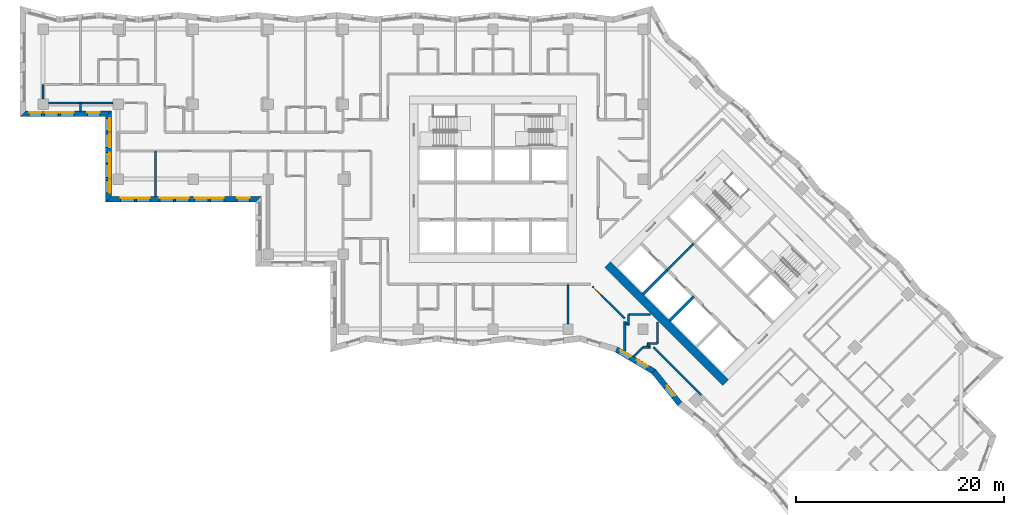
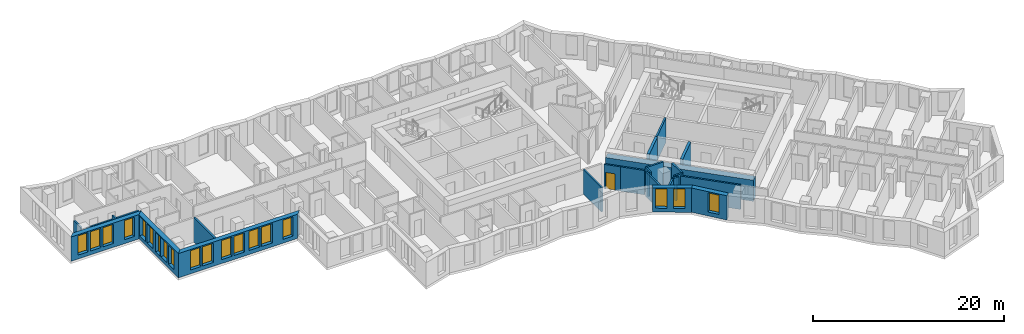
# One storey, part 3 of 13: 26 walls, 19 windows, 1 door, 20 openings.
"""IFC4 building model written with IfcOpenShell, lengths in metres."""

from ifc_helpers import new_model, si_unit, direction, frame, frame_2d, origin, place, context, subcontext, project, spatial, polyline, rectangle, outline, extrude, material, layer, layer_set, type_object, element, fill, save


model = new_model("IFC4")

# Units and contexts
model_context = context("Model", 3, precision=1e-05, world=origin(), true_north=direction((0.0, 1.0)))
body_context = subcontext(model_context, "Body", "Model", "MODEL_VIEW")
ifc_project = project(units=[si_unit("LENGTHUNIT", "METRE"), si_unit("AREAUNIT", "SQUARE_METRE"), si_unit("VOLUMEUNIT", "CUBIC_METRE"), si_unit("PLANEANGLEUNIT", "RADIAN"), si_unit("MASSUNIT", "GRAM", prefix="KILO")], contexts=[model_context])

# Site, building, storey
site_placement = place(None, origin())
site = spatial("IfcSite", under=ifc_project, at=site_placement, CompositionType="ELEMENT")
building_placement = place(site_placement, origin())
building = spatial("IfcBuilding", under=site, at=building_placement, Name="Windrow Commons", CompositionType="ELEMENT")
storey_placement = place(building_placement, frame((0.0, 0.0, 94.8)))
storey = spatial("IfcBuildingStorey", under=building, at=storey_placement, Name="L25", CompositionType="ELEMENT", Elevation=94.8)

# Wall, openings, windows
ifc_material_1 = material(Name="Brick masonry, red clay brick", Category="masonry")
ifc_layer_1 = layer(ifc_material_1, 0.55)
ifc_layer_set_1 = layer_set([ifc_layer_1], Name="Brick facade wall 550")
wall_type_1 = type_object("IfcWallType", Name="Brick facade wall 550", PredefinedType="SOLIDWALL", material=ifc_layer_set_1)
wall_1_placement = place(storey_placement, frame((19.654, 63.875, 0.0), z_axis=(0.0, 0.0, 1.0), x_axis=(1.0, 0.0, 0.0)))
wall_1 = element("IfcWall", 1, at=wall_1_placement, inside=storey, type_object=wall_type_1, Name="Brick facade wall L25 38", PredefinedType="SOLIDWALL", context=body_context, shape_type="SweptSolid", body=[
    extrude(outline(polyline([(-0.275, -0.275), (7.946, -0.275), (8.496, 0.275), (0.275, 0.275), (-0.275, -0.275)])), origin(), (0.0, 0.0, 1.0), 3.1),
])
opening_1_placement = place(wall_1_placement, frame((2.096, 0.0, 0.5)))
opening_1 = element("IfcOpeningElement", 2, at=opening_1_placement, cuts=wall_1, Name="Opening W1P", PredefinedType="OPENING", context=body_context, shape_type="SweptSolid", body=[
    extrude(rectangle(XDim=1.3, YDim=2.45, at=frame_2d((0.65, 1.225))), frame((0.0, 0.285, 0.0), z_axis=(0.0, -1.0, 0.0), x_axis=(1.0, 0.0, 0.0)), (0.0, 0.0, 1.0), 0.57),
])
opening_2_placement = place(wall_1_placement, frame((3.596, 0.0, 0.5)))
opening_2 = element("IfcOpeningElement", 3, at=opening_2_placement, cuts=wall_1, Name="Opening W1P", PredefinedType="OPENING", context=body_context, shape_type="SweptSolid", body=[
    extrude(rectangle(XDim=1.3, YDim=2.45, at=frame_2d((0.65, 1.225))), frame((0.0, 0.285, 0.0), z_axis=(0.0, -1.0, 0.0), x_axis=(1.0, 0.0, 0.0)), (0.0, 0.0, 1.0), 0.57),
])
opening_3_placement = place(wall_1_placement, frame((0.6105, 0.0, 0.5)))
opening_3 = element("IfcOpeningElement", 4, at=opening_3_placement, cuts=wall_1, Name="Opening W7D", PredefinedType="OPENING", context=body_context, shape_type="SweptSolid", body=[
    extrude(rectangle(XDim=1.2, YDim=2.45, at=frame_2d((0.6, 1.225))), frame((0.0, 0.285, 0.0), z_axis=(0.0, -1.0, 0.0), x_axis=(1.0, 0.0, 0.0)), (0.0, 0.0, 1.0), 0.57),
])
opening_4_placement = place(wall_1_placement, frame((6.1835, 0.0, 0.5)))
opening_4 = element("IfcOpeningElement", 5, at=opening_4_placement, cuts=wall_1, Name="Opening W7D", PredefinedType="OPENING", context=body_context, shape_type="SweptSolid", body=[
    extrude(rectangle(XDim=1.2, YDim=2.45, at=frame_2d((0.6, 1.225))), frame((0.0, 0.285, 0.0), z_axis=(0.0, -1.0, 0.0), x_axis=(1.0, 0.0, 0.0)), (0.0, 0.0, 1.0), 0.57),
])
ifc_material_2 = material(Name="Clear float glass in anodised aluminium frame", Category="aluminium")
window_type_1 = type_object("IfcWindowType", Name="Window W1P pair 1300x2450", PartitioningType="SINGLE_PANEL", PredefinedType="WINDOW", material=ifc_material_2)
window_1_placement = place(opening_1_placement, origin())
window_1 = element("IfcWindow", 6, at=window_1_placement, inside=storey, type_object=window_type_1, Name="Window L25 38.1A", OverallHeight=2.45, OverallWidth=1.3, PartitioningType="SINGLE_PANEL", PredefinedType="WINDOW", context=body_context, shape_type="SweptSolid", body=[
    extrude(rectangle(XDim=1.3, YDim=2.45, at=frame_2d((0.65, 1.225))), frame((0.0, 0.155, 0.0), z_axis=(0.0, -1.0, 0.0), x_axis=(1.0, 0.0, 0.0)), (0.0, 0.0, 1.0), 0.06),
])
fill(opening_1, window_1)
window_2_placement = place(opening_2_placement, origin())
window_2 = element("IfcWindow", 7, at=window_2_placement, inside=storey, type_object=window_type_1, Name="Window L25 38.1B", OverallHeight=2.45, OverallWidth=1.3, PartitioningType="SINGLE_PANEL", PredefinedType="WINDOW", context=body_context, shape_type="SweptSolid", body=[
    extrude(rectangle(XDim=1.3, YDim=2.45, at=frame_2d((0.65, 1.225))), frame((0.0, 0.155, 0.0), z_axis=(0.0, -1.0, 0.0), x_axis=(1.0, 0.0, 0.0)), (0.0, 0.0, 1.0), 0.06),
])
fill(opening_2, window_2)
ifc_material_3 = material(Name="Clear float glass in anodised aluminium frame", Category="aluminium")
window_type_2 = type_object("IfcWindowType", Name="Window W7 notch 1200x2450", PartitioningType="SINGLE_PANEL", PredefinedType="WINDOW", material=ifc_material_3)
window_3_placement = place(opening_3_placement, origin())
window_3 = element("IfcWindow", 8, at=window_3_placement, inside=storey, type_object=window_type_2, Name="Window L25 38.2", OverallHeight=2.45, OverallWidth=1.2, PartitioningType="SINGLE_PANEL", PredefinedType="WINDOW", context=body_context, shape_type="SweptSolid", body=[
    extrude(rectangle(XDim=1.2, YDim=2.45, at=frame_2d((0.6, 1.225))), frame((0.0, 0.155, 0.0), z_axis=(0.0, -1.0, 0.0), x_axis=(1.0, 0.0, 0.0)), (0.0, 0.0, 1.0), 0.06),
])
fill(opening_3, window_3)
window_4_placement = place(opening_4_placement, origin())
window_4 = element("IfcWindow", 9, at=window_4_placement, inside=storey, type_object=window_type_2, Name="Window L25 38.3", OverallHeight=2.45, OverallWidth=1.2, PartitioningType="SINGLE_PANEL", PredefinedType="WINDOW", context=body_context, shape_type="SweptSolid", body=[
    extrude(rectangle(XDim=1.2, YDim=2.45, at=frame_2d((0.6, 1.225))), frame((0.0, 0.155, 0.0), z_axis=(0.0, -1.0, 0.0), x_axis=(1.0, 0.0, 0.0)), (0.0, 0.0, 1.0), 0.06),
])
fill(opening_4, window_4)

wall_2_placement = place(storey_placement, frame((27.875, 63.875, 0.0), z_axis=(0.0, 0.0, 1.0), x_axis=(0.0, -1.0, 0.0)))
wall_2 = element("IfcWall", 10, at=wall_2_placement, inside=storey, type_object=wall_type_1, Name="Brick facade wall L25 39", PredefinedType="SOLIDWALL", context=body_context, shape_type="SweptSolid", body=[
    extrude(outline(polyline([(0.275, -0.275), (8.496, -0.275), (7.946, 0.275), (-0.275, 0.275), (0.275, -0.275)])), origin(), (0.0, 0.0, 1.0), 3.1),
])
opening_5_placement = place(wall_2_placement, frame((4.825, 0.0, 0.5)))
opening_5 = element("IfcOpeningElement", 11, at=opening_5_placement, cuts=wall_2, Name="Opening W1P", PredefinedType="OPENING", context=body_context, shape_type="SweptSolid", body=[
    extrude(rectangle(XDim=1.3, YDim=2.45, at=frame_2d((0.65, 1.225))), frame((0.0, 0.285, 0.0), z_axis=(0.0, -1.0, 0.0), x_axis=(1.0, 0.0, 0.0)), (0.0, 0.0, 1.0), 0.57),
])
opening_6_placement = place(wall_2_placement, frame((0.4375, 0.0, 0.5)))
opening_6 = element("IfcOpeningElement", 12, at=opening_6_placement, cuts=wall_2, Name="Opening W7D", PredefinedType="OPENING", context=body_context, shape_type="SweptSolid", body=[
    extrude(rectangle(XDim=1.2, YDim=2.45, at=frame_2d((0.6, 1.225))), frame((0.0, 0.285, 0.0), z_axis=(0.0, -1.0, 0.0), x_axis=(1.0, 0.0, 0.0)), (0.0, 0.0, 1.0), 0.57),
])
opening_7_placement = place(wall_2_placement, frame((6.4105, 0.0, 0.5)))
opening_7 = element("IfcOpeningElement", 13, at=opening_7_placement, cuts=wall_2, Name="Opening W7D", PredefinedType="OPENING", context=body_context, shape_type="SweptSolid", body=[
    extrude(rectangle(XDim=1.2, YDim=2.45, at=frame_2d((0.6, 1.225))), frame((0.0, 0.285, 0.0), z_axis=(0.0, -1.0, 0.0), x_axis=(1.0, 0.0, 0.0)), (0.0, 0.0, 1.0), 0.57),
])
opening_8_placement = place(wall_2_placement, frame((1.9313, 0.0, 0.5)))
opening_8 = element("IfcOpeningElement", 14, at=opening_8_placement, cuts=wall_2, Name="Opening W1P", PredefinedType="OPENING", context=body_context, shape_type="SweptSolid", body=[
    extrude(rectangle(XDim=1.3, YDim=2.45, at=frame_2d((0.65, 1.225))), frame((0.0, 0.285, 0.0), z_axis=(0.0, -1.0, 0.0), x_axis=(1.0, 0.0, 0.0)), (0.0, 0.0, 1.0), 0.57),
])
opening_9_placement = place(wall_2_placement, frame((3.725, 0.0, 0.45)))
opening_9 = element("IfcOpeningElement", 15, at=opening_9_placement, cuts=wall_2, Name="Opening W1S", PredefinedType="OPENING", context=body_context, shape_type="SweptSolid", body=[
    extrude(rectangle(XDim=1.0, YDim=2.5, at=frame_2d((0.5, 1.25))), frame((0.0, 0.285, 0.0), z_axis=(0.0, -1.0, 0.0), x_axis=(1.0, 0.0, 0.0)), (0.0, 0.0, 1.0), 0.57),
])
window_5_placement = place(opening_5_placement, origin())
window_5 = element("IfcWindow", 16, at=window_5_placement, inside=storey, type_object=window_type_1, Name="Window L25 39.1B", OverallHeight=2.45, OverallWidth=1.3, PartitioningType="SINGLE_PANEL", PredefinedType="WINDOW", context=body_context, shape_type="SweptSolid", body=[
    extrude(rectangle(XDim=1.3, YDim=2.45, at=frame_2d((0.65, 1.225))), frame((0.0, 0.155, 0.0), z_axis=(0.0, -1.0, 0.0), x_axis=(1.0, 0.0, 0.0)), (0.0, 0.0, 1.0), 0.06),
])
fill(opening_5, window_5)
window_6_placement = place(opening_8_placement, origin())
window_6 = element("IfcWindow", 17, at=window_6_placement, inside=storey, type_object=window_type_1, Name="Window L25 39.1AA", OverallHeight=2.45, OverallWidth=1.3, PartitioningType="SINGLE_PANEL", PredefinedType="WINDOW", context=body_context, shape_type="SweptSolid", body=[
    extrude(rectangle(XDim=1.3, YDim=2.45, at=frame_2d((0.65, 1.225))), frame((0.0, 0.155, 0.0), z_axis=(0.0, -1.0, 0.0), x_axis=(1.0, 0.0, 0.0)), (0.0, 0.0, 1.0), 0.06),
])
fill(opening_8, window_6)
ifc_material_4 = material(Name="Clear float glass in anodised aluminium frame", Category="aluminium")
window_type_3 = type_object("IfcWindowType", Name="Window W1S slit 1000x2500", PartitioningType="SINGLE_PANEL", PredefinedType="WINDOW", material=ifc_material_4)
window_7_placement = place(opening_9_placement, origin())
window_7 = element("IfcWindow", 18, at=window_7_placement, inside=storey, type_object=window_type_3, Name="Window L25 39.1AB", OverallHeight=2.5, OverallWidth=1.0, PartitioningType="SINGLE_PANEL", PredefinedType="WINDOW", context=body_context, shape_type="SweptSolid", body=[
    extrude(rectangle(XDim=1.0, YDim=2.5, at=frame_2d((0.5, 1.25))), frame((0.0, 0.155, 0.0), z_axis=(0.0, -1.0, 0.0), x_axis=(1.0, 0.0, 0.0)), (0.0, 0.0, 1.0), 0.06),
])
fill(opening_9, window_7)
window_8_placement = place(opening_6_placement, origin())
window_8 = element("IfcWindow", 19, at=window_8_placement, inside=storey, type_object=window_type_2, Name="Window L25 39.2", OverallHeight=2.45, OverallWidth=1.2, PartitioningType="SINGLE_PANEL", PredefinedType="WINDOW", context=body_context, shape_type="SweptSolid", body=[
    extrude(rectangle(XDim=1.2, YDim=2.45, at=frame_2d((0.6, 1.225))), frame((0.0, 0.155, 0.0), z_axis=(0.0, -1.0, 0.0), x_axis=(1.0, 0.0, 0.0)), (0.0, 0.0, 1.0), 0.06),
])
fill(opening_6, window_8)
window_9_placement = place(opening_7_placement, origin())
window_9 = element("IfcWindow", 20, at=window_9_placement, inside=storey, type_object=window_type_2, Name="Window L25 39.3", OverallHeight=2.45, OverallWidth=1.2, PartitioningType="SINGLE_PANEL", PredefinedType="WINDOW", context=body_context, shape_type="SweptSolid", body=[
    extrude(rectangle(XDim=1.2, YDim=2.45, at=frame_2d((0.6, 1.225))), frame((0.0, 0.155, 0.0), z_axis=(0.0, -1.0, 0.0), x_axis=(1.0, 0.0, 0.0)), (0.0, 0.0, 1.0), 0.06),
])
fill(opening_7, window_9)

wall_3_placement = place(storey_placement, frame((27.875, 55.654, 0.0), z_axis=(0.0, 0.0, 1.0), x_axis=(1.0, 0.0, 0.0)))
wall_3 = element("IfcWall", 21, at=wall_3_placement, inside=storey, type_object=wall_type_1, Name="Brick facade wall L25 40", PredefinedType="SOLIDWALL", context=body_context, shape_type="SweptSolid", body=[
    extrude(outline(polyline([(-0.275, -0.275), (14.125, -0.275), (14.675, 0.275), (0.275, 0.275), (-0.275, -0.275)])), origin(), (0.0, 0.0, 1.0), 3.1),
])
opening_10_placement = place(wall_3_placement, frame((1.175, 0.0, 0.5)))
opening_10 = element("IfcOpeningElement", 22, at=opening_10_placement, cuts=wall_3, Name="Opening W1P", PredefinedType="OPENING", context=body_context, shape_type="SweptSolid", body=[
    extrude(rectangle(XDim=1.3, YDim=2.45, at=frame_2d((0.65, 1.225))), frame((0.0, 0.285, 0.0), z_axis=(0.0, -1.0, 0.0), x_axis=(1.0, 0.0, 0.0)), (0.0, 0.0, 1.0), 0.57),
])
opening_11_placement = place(wall_3_placement, frame((2.675, 0.0, 0.5)))
opening_11 = element("IfcOpeningElement", 23, at=opening_11_placement, cuts=wall_3, Name="Opening W1P", PredefinedType="OPENING", context=body_context, shape_type="SweptSolid", body=[
    extrude(rectangle(XDim=1.3, YDim=2.45, at=frame_2d((0.65, 1.225))), frame((0.0, 0.285, 0.0), z_axis=(0.0, -1.0, 0.0), x_axis=(1.0, 0.0, 0.0)), (0.0, 0.0, 1.0), 0.57),
])
opening_12_placement = place(wall_3_placement, frame((4.925, 0.0, 0.5)))
opening_12 = element("IfcOpeningElement", 24, at=opening_12_placement, cuts=wall_3, Name="Opening W1P", PredefinedType="OPENING", context=body_context, shape_type="SweptSolid", body=[
    extrude(rectangle(XDim=1.3, YDim=2.45, at=frame_2d((0.65, 1.225))), frame((0.0, 0.285, 0.0), z_axis=(0.0, -1.0, 0.0), x_axis=(1.0, 0.0, 0.0)), (0.0, 0.0, 1.0), 0.57),
])
opening_13_placement = place(wall_3_placement, frame((6.425, 0.0, 0.5)))
opening_13 = element("IfcOpeningElement", 25, at=opening_13_placement, cuts=wall_3, Name="Opening W1P", PredefinedType="OPENING", context=body_context, shape_type="SweptSolid", body=[
    extrude(rectangle(XDim=1.3, YDim=2.45, at=frame_2d((0.65, 1.225))), frame((0.0, 0.285, 0.0), z_axis=(0.0, -1.0, 0.0), x_axis=(1.0, 0.0, 0.0)), (0.0, 0.0, 1.0), 0.57),
])
opening_14_placement = place(wall_3_placement, frame((8.275, 0.0, 0.5)))
opening_14 = element("IfcOpeningElement", 26, at=opening_14_placement, cuts=wall_3, Name="Opening W1P", PredefinedType="OPENING", context=body_context, shape_type="SweptSolid", body=[
    extrude(rectangle(XDim=1.3, YDim=2.45, at=frame_2d((0.65, 1.225))), frame((0.0, 0.285, 0.0), z_axis=(0.0, -1.0, 0.0), x_axis=(1.0, 0.0, 0.0)), (0.0, 0.0, 1.0), 0.57),
])
opening_15_placement = place(wall_3_placement, frame((9.775, 0.0, 0.5)))
opening_15 = element("IfcOpeningElement", 27, at=opening_15_placement, cuts=wall_3, Name="Opening W1P", PredefinedType="OPENING", context=body_context, shape_type="SweptSolid", body=[
    extrude(rectangle(XDim=1.3, YDim=2.45, at=frame_2d((0.65, 1.225))), frame((0.0, 0.285, 0.0), z_axis=(0.0, -1.0, 0.0), x_axis=(1.0, 0.0, 0.0)), (0.0, 0.0, 1.0), 0.57),
])
opening_16_placement = place(wall_3_placement, frame((12.3625, 0.0, 0.5)))
opening_16 = element("IfcOpeningElement", 28, at=opening_16_placement, cuts=wall_3, Name="Opening W7D", PredefinedType="OPENING", context=body_context, shape_type="SweptSolid", body=[
    extrude(rectangle(XDim=1.2, YDim=2.45, at=frame_2d((0.6, 1.225))), frame((0.0, 0.285, 0.0), z_axis=(0.0, -1.0, 0.0), x_axis=(1.0, 0.0, 0.0)), (0.0, 0.0, 1.0), 0.57),
])
window_10_placement = place(opening_10_placement, origin())
window_10 = element("IfcWindow", 29, at=window_10_placement, inside=storey, type_object=window_type_1, Name="Window L25 40.1A", OverallHeight=2.45, OverallWidth=1.3, PartitioningType="SINGLE_PANEL", PredefinedType="WINDOW", context=body_context, shape_type="SweptSolid", body=[
    extrude(rectangle(XDim=1.3, YDim=2.45, at=frame_2d((0.65, 1.225))), frame((0.0, 0.155, 0.0), z_axis=(0.0, -1.0, 0.0), x_axis=(1.0, 0.0, 0.0)), (0.0, 0.0, 1.0), 0.06),
])
fill(opening_10, window_10)
window_11_placement = place(opening_11_placement, origin())
window_11 = element("IfcWindow", 30, at=window_11_placement, inside=storey, type_object=window_type_1, Name="Window L25 40.1B", OverallHeight=2.45, OverallWidth=1.3, PartitioningType="SINGLE_PANEL", PredefinedType="WINDOW", context=body_context, shape_type="SweptSolid", body=[
    extrude(rectangle(XDim=1.3, YDim=2.45, at=frame_2d((0.65, 1.225))), frame((0.0, 0.155, 0.0), z_axis=(0.0, -1.0, 0.0), x_axis=(1.0, 0.0, 0.0)), (0.0, 0.0, 1.0), 0.06),
])
fill(opening_11, window_11)
window_12_placement = place(opening_12_placement, origin())
window_12 = element("IfcWindow", 31, at=window_12_placement, inside=storey, type_object=window_type_1, Name="Window L25 40.2A", OverallHeight=2.45, OverallWidth=1.3, PartitioningType="SINGLE_PANEL", PredefinedType="WINDOW", context=body_context, shape_type="SweptSolid", body=[
    extrude(rectangle(XDim=1.3, YDim=2.45, at=frame_2d((0.65, 1.225))), frame((0.0, 0.155, 0.0), z_axis=(0.0, -1.0, 0.0), x_axis=(1.0, 0.0, 0.0)), (0.0, 0.0, 1.0), 0.06),
])
fill(opening_12, window_12)
window_13_placement = place(opening_13_placement, origin())
window_13 = element("IfcWindow", 32, at=window_13_placement, inside=storey, type_object=window_type_1, Name="Window L25 40.2B", OverallHeight=2.45, OverallWidth=1.3, PartitioningType="SINGLE_PANEL", PredefinedType="WINDOW", context=body_context, shape_type="SweptSolid", body=[
    extrude(rectangle(XDim=1.3, YDim=2.45, at=frame_2d((0.65, 1.225))), frame((0.0, 0.155, 0.0), z_axis=(0.0, -1.0, 0.0), x_axis=(1.0, 0.0, 0.0)), (0.0, 0.0, 1.0), 0.06),
])
fill(opening_13, window_13)
window_14_placement = place(opening_14_placement, origin())
window_14 = element("IfcWindow", 33, at=window_14_placement, inside=storey, type_object=window_type_1, Name="Window L25 40.3A", OverallHeight=2.45, OverallWidth=1.3, PartitioningType="SINGLE_PANEL", PredefinedType="WINDOW", context=body_context, shape_type="SweptSolid", body=[
    extrude(rectangle(XDim=1.3, YDim=2.45, at=frame_2d((0.65, 1.225))), frame((0.0, 0.155, 0.0), z_axis=(0.0, -1.0, 0.0), x_axis=(1.0, 0.0, 0.0)), (0.0, 0.0, 1.0), 0.06),
])
fill(opening_14, window_14)
window_15_placement = place(opening_15_placement, origin())
window_15 = element("IfcWindow", 34, at=window_15_placement, inside=storey, type_object=window_type_1, Name="Window L25 40.3B", OverallHeight=2.45, OverallWidth=1.3, PartitioningType="SINGLE_PANEL", PredefinedType="WINDOW", context=body_context, shape_type="SweptSolid", body=[
    extrude(rectangle(XDim=1.3, YDim=2.45, at=frame_2d((0.65, 1.225))), frame((0.0, 0.155, 0.0), z_axis=(0.0, -1.0, 0.0), x_axis=(1.0, 0.0, 0.0)), (0.0, 0.0, 1.0), 0.06),
])
fill(opening_15, window_15)
window_16_placement = place(opening_16_placement, origin())
window_16 = element("IfcWindow", 35, at=window_16_placement, inside=storey, type_object=window_type_2, Name="Window L25 40.4", OverallHeight=2.45, OverallWidth=1.2, PartitioningType="SINGLE_PANEL", PredefinedType="WINDOW", context=body_context, shape_type="SweptSolid", body=[
    extrude(rectangle(XDim=1.2, YDim=2.45, at=frame_2d((0.6, 1.225))), frame((0.0, 0.155, 0.0), z_axis=(0.0, -1.0, 0.0), x_axis=(1.0, 0.0, 0.0)), (0.0, 0.0, 1.0), 0.06),
])
fill(opening_16, window_16)

wall_4_placement = place(storey_placement, frame((76.6437, 41.2329, 0.0), z_axis=(0.0, 0.0, 1.0), x_axis=(0.861767211, -0.5073039267, 0.0)))
wall_4 = element("IfcWall", 36, at=wall_4_placement, inside=storey, type_object=wall_type_1, Name="Brick facade wall L25 52", PredefinedType="SOLIDWALL", context=body_context, shape_type="SweptSolid", body=[
    extrude(outline(polyline([(0.0334, -0.275), (4.1072, -0.275), (4.2072, 0.275), (-0.0334, 0.275), (0.0334, -0.275)])), origin(), (0.0, 0.0, 1.0), 3.1),
])
opening_17_placement = place(wall_4_placement, frame((0.3532, 0.0, 0.5)))
opening_17 = element("IfcOpeningElement", 37, at=opening_17_placement, cuts=wall_4, Name="Opening W7D", PredefinedType="OPENING", context=body_context, shape_type="SweptSolid", body=[
    extrude(rectangle(XDim=1.2, YDim=2.45, at=frame_2d((0.6, 1.225))), frame((0.0, 0.285, 0.0), z_axis=(0.0, -1.0, 0.0), x_axis=(1.0, 0.0, 0.0)), (0.0, 0.0, 1.0), 0.57),
])
opening_18_placement = place(wall_4_placement, frame((2.2318, 0.0, 0.5)))
opening_18 = element("IfcOpeningElement", 38, at=opening_18_placement, cuts=wall_4, Name="Opening W7D", PredefinedType="OPENING", context=body_context, shape_type="SweptSolid", body=[
    extrude(rectangle(XDim=1.2, YDim=2.45, at=frame_2d((0.6, 1.225))), frame((0.0, 0.285, 0.0), z_axis=(0.0, -1.0, 0.0), x_axis=(1.0, 0.0, 0.0)), (0.0, 0.0, 1.0), 0.57),
])
window_17_placement = place(opening_17_placement, origin())
window_17 = element("IfcWindow", 39, at=window_17_placement, inside=storey, type_object=window_type_2, Name="Window L25 52.1", OverallHeight=2.45, OverallWidth=1.2, PartitioningType="SINGLE_PANEL", PredefinedType="WINDOW", context=body_context, shape_type="SweptSolid", body=[
    extrude(rectangle(XDim=1.2, YDim=2.45, at=frame_2d((0.6, 1.225))), frame((0.0, 0.155, 0.0), z_axis=(0.0, -1.0, 0.0), x_axis=(1.0, 0.0, 0.0)), (0.0, 0.0, 1.0), 0.06),
])
fill(opening_17, window_17)
window_18_placement = place(opening_18_placement, origin())
window_18 = element("IfcWindow", 40, at=window_18_placement, inside=storey, type_object=window_type_2, Name="Window L25 52.2", OverallHeight=2.45, OverallWidth=1.2, PartitioningType="SINGLE_PANEL", PredefinedType="WINDOW", context=body_context, shape_type="SweptSolid", body=[
    extrude(rectangle(XDim=1.2, YDim=2.45, at=frame_2d((0.6, 1.225))), frame((0.0, 0.155, 0.0), z_axis=(0.0, -1.0, 0.0), x_axis=(1.0, 0.0, 0.0)), (0.0, 0.0, 1.0), 0.06),
])
fill(opening_18, window_18)

# Wall, opening, window
wall_5_placement = place(storey_placement, frame((80.2263, 39.1239, 0.0), z_axis=(0.0, 0.0, 1.0), x_axis=(0.6280387215, -0.7781820894, 0.0)))
wall_5 = element("IfcWall", 41, at=wall_5_placement, inside=storey, type_object=wall_type_1, Name="Brick facade wall L25 53", PredefinedType="SOLIDWALL", context=body_context, shape_type="SweptSolid", body=[
    extrude(outline(polyline([(0.05, -0.275), (4.0162, -0.275), (3.9575, 0.275), (-0.05, 0.275), (0.05, -0.275)])), origin(), (0.0, 0.0, 1.0), 3.1),
])
opening_19_placement = place(wall_5_placement, frame((1.8959, 0.0, 0.5)))
opening_19 = element("IfcOpeningElement", 42, at=opening_19_placement, cuts=wall_5, Name="Opening W7D", PredefinedType="OPENING", context=body_context, shape_type="SweptSolid", body=[
    extrude(rectangle(XDim=1.2, YDim=2.45, at=frame_2d((0.6, 1.225))), frame((0.0, 0.285, 0.0), z_axis=(0.0, -1.0, 0.0), x_axis=(1.0, 0.0, 0.0)), (0.0, 0.0, 1.0), 0.57),
])
window_19_placement = place(opening_19_placement, origin())
window_19 = element("IfcWindow", 43, at=window_19_placement, inside=storey, type_object=window_type_2, Name="Window L25 53.1", OverallHeight=2.45, OverallWidth=1.2, PartitioningType="SINGLE_PANEL", PredefinedType="WINDOW", context=body_context, shape_type="SweptSolid", body=[
    extrude(rectangle(XDim=1.2, YDim=2.45, at=frame_2d((0.6, 1.225))), frame((0.0, 0.155, 0.0), z_axis=(0.0, -1.0, 0.0), x_axis=(1.0, 0.0, 0.0)), (0.0, 0.0, 1.0), 0.06),
])
fill(opening_19, window_19)

# Walls
ifc_material_5 = material(Name="Blockwork partition", Category="masonry")
ifc_layer_2 = layer(ifc_material_5, 0.2)
ifc_layer_set_2 = layer_set([ifc_layer_2], Name="Fire lobby partition 200")
wall_type_2 = type_object("IfcWallType", Name="Fire lobby partition 200", PredefinedType="PARTITIONING", material=ifc_layer_set_2)
wall_6_placement = place(storey_placement, frame((81.5335, 48.8776, 0.0), z_axis=(0.0, 0.0, 1.0), x_axis=(0.707092892, 0.7071206701, 0.0)))
element("IfcWall", 44, at=wall_6_placement, inside=storey, type_object=wall_type_2, Name="W-core-lobby-B-L25", PredefinedType="PARTITIONING", context=body_context, shape_type="SweptSolid", body=[
    extrude(rectangle(XDim=3.6, YDim=0.2, at=frame_2d((1.8, 0.0))), origin(), (0.0, 0.0, 1.0), 3.1),
])
ifc_material_6 = material(Name="Blockwork partition", Category="masonry")
ifc_layer_3 = layer(ifc_material_6, 0.2)
ifc_layer_set_3 = layer_set([ifc_layer_3], Name="IW-CORRIDOR-200")
wall_type_3 = type_object("IfcWallType", Name="IW-CORRIDOR-200", PredefinedType="PARTITIONING", material=ifc_layer_set_3)
wall_7_placement = place(storey_placement, frame((80.1973, 41.4533, 0.0), z_axis=(0.0, 0.0, 1.0), x_axis=(0.7071067812, -0.7071067812, 0.0)))
element("IfcWall", 45, at=wall_7_placement, inside=storey, type_object=wall_type_3, Name="W-L25-W025", PredefinedType="PARTITIONING", context=body_context, shape_type="SweptSolid", body=[
    extrude(rectangle(XDim=6.4884, YDim=0.2, at=frame_2d((3.2442, 0.0))), origin(), (0.0, 0.0, 1.0), 3.1),
])
wall_8_placement = place(storey_placement, frame((22.1, 64.9, 0.0), z_axis=(0.0, 0.0, 1.0), x_axis=(1.0, 0.0, 0.0)))
element("IfcWall", 46, at=wall_8_placement, inside=storey, type_object=wall_type_3, Name="W-L25-W028", PredefinedType="PARTITIONING", context=body_context, shape_type="SweptSolid", body=[
    extrude(rectangle(XDim=6.2, YDim=0.2, at=frame_2d((3.1, 0.0))), origin(), (0.0, 0.0, 1.0), 2.6),
])
wall_9_placement = place(storey_placement, frame((75.5982, 46.0402, 0.0), z_axis=(0.0, 0.0, 1.0), x_axis=(0.7074891043, -0.7067242512, 0.0)))
element("IfcWall", 47, at=wall_9_placement, inside=storey, type_object=wall_type_3, Name="W-L25-W069", PredefinedType="PARTITIONING", context=body_context, shape_type="SweptSolid", body=[
    extrude(rectangle(XDim=2.6149, YDim=0.2, at=frame_2d((1.3075, 0.0))), origin(), (0.0, 0.0, 1.0), 3.1),
])
for number, where, z_axis, x_axis, name in (
    (48, (77.802, 44.6, 0.0), (0.0, 0.0, 1.0), (1.0, 0.0, 0.0), "W-L25-W119"),
    (49, (80.6, 41.802, 0.0), (0.0, 0.0, 1.0), (0.0, 1.0, 0.0), "W-L25-W120"),
):
    element("IfcWall", number, at=place(storey_placement, frame(where, z_axis=z_axis, x_axis=x_axis)), inside=storey, type_object=wall_type_3, Name=name, PredefinedType="PARTITIONING", context=body_context, shape_type="SweptSolid", body=[
        extrude(rectangle(XDim=2.098, YDim=0.2, at=frame_2d((1.049, 0.0))), origin(), (0.0, 0.0, 1.0), 3.1),
    ])

# Wall, opening, door
wall_10_placement = place(storey_placement, frame((74.3393, 47.2973, 0.0), z_axis=(0.0, 0.0, 1.0), x_axis=(0.7071067812, -0.7071067812, 0.0)))
wall_10 = element("IfcWall", 50, at=wall_10_placement, inside=storey, type_object=wall_type_3, Name="W-L25-W156", PredefinedType="PARTITIONING", context=body_context, shape_type="SweptSolid", body=[
    extrude(rectangle(XDim=1.7791, YDim=0.2, at=frame_2d((0.8895, 0.0))), origin(), (0.0, 0.0, 1.0), 3.1),
])
opening_20_placement = place(wall_10_placement, frame((0.1857, 0.0, 0.0)))
opening_20 = element("IfcOpeningElement", 51, at=opening_20_placement, cuts=wall_10, Name="Opening D310F", PredefinedType="OPENING", context=body_context, shape_type="SweptSolid", body=[
    extrude(rectangle(XDim=1.0, YDim=2.1, at=frame_2d((0.5, 1.05))), frame((0.0, 0.11, 0.0), z_axis=(0.0, -1.0, 0.0), x_axis=(1.0, 0.0, 0.0)), (0.0, 0.0, 1.0), 0.22),
])
ifc_material_7 = material(Name="Timber door leaf", Category="wood")
door_type = type_object("IfcDoorType", Name="DT-AMENITY-1000", OperationType="SINGLE_SWING_LEFT", PredefinedType="DOOR", material=ifc_material_7)
door_placement = place(opening_20_placement, origin())
door = element("IfcDoor", 52, at=door_placement, inside=storey, type_object=door_type, Name="D-L25-D042", OperationType="SINGLE_SWING_LEFT", OverallHeight=2.1, OverallWidth=1.0, PredefinedType="DOOR", context=body_context, shape_type="SweptSolid", body=[
    extrude(rectangle(XDim=1.0, YDim=2.1, at=frame_2d((0.5, 1.05))), frame((0.0, 0.025, 0.0), z_axis=(0.0, -1.0, 0.0), x_axis=(1.0, 0.0, 0.0)), (0.0, 0.0, 1.0), 0.05),
])
fill(opening_20, door)

# Walls
wall_11_placement = place(storey_placement, frame((21.6, 65.3, 0.0), z_axis=(0.0, 0.0, 1.0), x_axis=(0.0, 1.0, 0.0)))
element("IfcWall", 53, at=wall_11_placement, inside=storey, type_object=wall_type_3, Name="W-L25-W165", PredefinedType="PARTITIONING", context=body_context, shape_type="SweptSolid", body=[
    extrude(rectangle(XDim=1.4, YDim=0.2, at=frame_2d((0.7, 0.0))), origin(), (0.0, 0.0, 1.0), 2.6),
])
for number, where, z_axis, x_axis, name in (
    (54, (77.8, 43.56, 0.0), (0.0, 0.0, 1.0), (0.0, 1.0, 0.0), "W-L25-W180"),
    (55, (79.56, 41.8, 0.0), (0.0, 0.0, 1.0), (1.0, 0.0, 0.0), "W-L25-W181"),
):
    element("IfcWall", number, at=place(storey_placement, frame(where, z_axis=z_axis, x_axis=x_axis)), inside=storey, type_object=wall_type_3, Name=name, PredefinedType="PARTITIONING", context=body_context, shape_type="SweptSolid", body=[
        extrude(rectangle(XDim=1.04, YDim=0.2, at=frame_2d((0.52, 0.0))), origin(), (0.0, 0.0, 1.0), 3.1),
    ])
for number, where, z_axis, x_axis, name in (
    (56, (79.6488, 41.7049, 0.0), (0.0, 0.0, 1.0), (0.7068844555, -0.707329037, 0.0), "W-L25-W205"),
    (57, (77.5458, 43.8078, 0.0), (0.0, 0.0, 1.0), (0.707329037, -0.7068844555, 0.0), "W-L25-W206"),
):
    element("IfcWall", number, at=place(storey_placement, frame(where, z_axis=z_axis, x_axis=x_axis)), inside=storey, type_object=wall_type_3, Name=name, PredefinedType="PARTITIONING", context=body_context, shape_type="SweptSolid", body=[
        extrude(rectangle(XDim=0.2249, YDim=0.2, at=frame_2d((0.1124, 0.0))), origin(), (0.0, 0.0, 1.0), 3.1),
    ])
ifc_material_8 = material(Name="Blockwork partition", Category="masonry")
ifc_layer_4 = layer(ifc_material_8, 0.2)
ifc_layer_set_4 = layer_set([ifc_layer_4], Name="IW-PARTY-200")
wall_type_4 = type_object("IfcWallType", Name="IW-PARTY-200", PredefinedType="PARTITIONING", material=ifc_layer_set_4)
wall_12_placement = place(storey_placement, frame((32.4, 55.929, 0.0), z_axis=(0.0, 0.0, 1.0), x_axis=(0.0, 1.0, 0.0)))
element("IfcWall", 58, at=wall_12_placement, inside=storey, type_object=wall_type_4, Name="W-L25-W049", PredefinedType="PARTITIONING", context=body_context, shape_type="SweptSolid", body=[
    extrude(rectangle(XDim=4.371, YDim=0.2, at=frame_2d((2.1855, 0.0))), origin(), (0.0, 0.0, 1.0), 3.1),
])
wall_13_placement = place(storey_placement, frame((72.0, 43.7, 0.0), z_axis=(0.0, 0.0, 1.0), x_axis=(0.0, 1.0, 0.0)))
element("IfcWall", 59, at=wall_13_placement, inside=storey, type_object=wall_type_4, Name="W-L25-W057", PredefinedType="PARTITIONING", context=body_context, shape_type="SweptSolid", body=[
    extrude(rectangle(XDim=3.8, YDim=0.2, at=frame_2d((1.9, 0.0))), origin(), (0.0, 0.0, 1.0), 3.1),
])
wall_14_placement = place(storey_placement, frame((77.45, 41.0774, 0.0), z_axis=(0.0, 0.0, 1.0), x_axis=(0.0, 1.0, 0.0)))
element("IfcWall", 60, at=wall_14_placement, inside=storey, type_object=wall_type_4, Name="W-L25-W064", PredefinedType="PARTITIONING", context=body_context, shape_type="SweptSolid", body=[
    extrude(rectangle(XDim=2.8326, YDim=0.2, at=frame_2d((1.4163, 0.0))), origin(), (0.0, 0.0, 1.0), 3.1),
])
wall_15_placement = place(storey_placement, frame((78.3141, 40.5687, 0.0), z_axis=(0.0, 0.0, 1.0), x_axis=(0.7071067812, 0.7071067812, 0.0)))
element("IfcWall", 61, at=wall_15_placement, inside=storey, type_object=wall_type_4, Name="W-L25-W179", PredefinedType="PARTITIONING", context=body_context, shape_type="SweptSolid", body=[
    extrude(rectangle(XDim=1.2468, YDim=0.2, at=frame_2d((0.6234, 0.0))), origin(), (0.0, 0.0, 1.0), 3.1),
])
wall_16_placement = place(storey_placement, frame((79.198, 41.45, 0.0), z_axis=(0.0, 0.0, 1.0), x_axis=(1.0, 0.0, 0.0)))
element("IfcWall", 62, at=wall_16_placement, inside=storey, type_object=wall_type_4, Name="W-L25-W188", PredefinedType="PARTITIONING", context=body_context, shape_type="SweptSolid", body=[
    extrude(rectangle(XDim=0.712, YDim=0.2, at=frame_2d((0.356, 0.0))), origin(), (0.0, 0.0, 1.0), 3.1),
])
wall_17_placement = place(storey_placement, frame((25.2, 64.15, 0.0), z_axis=(0.0, 0.0, 1.0), x_axis=(0.0, 1.0, 0.0)))
element("IfcWall", 63, at=wall_17_placement, inside=storey, type_object=wall_type_4, Name="W-L25-W190", PredefinedType="PARTITIONING", context=body_context, shape_type="SweptSolid", body=[
    extrude(rectangle(XDim=0.75, YDim=0.2, at=frame_2d((0.375, 0.0))), origin(), (0.0, 0.0, 1.0), 3.1),
])
ifc_material_9 = material(Name="Concrete C50/60", Category="concrete")
ifc_layer_5 = layer(ifc_material_9, 0.8)
ifc_layer_set_5 = layer_set([ifc_layer_5], Name="RC CORE WALL 800 C50/60")
wall_type_5 = type_object("IfcWallType", Name="RC CORE WALL 800 C50/60", PredefinedType="SHEAR", material=ifc_layer_set_5)
wall_18_placement = place(storey_placement, frame((75.8059, 49.3726, -0.3), z_axis=(0.0, 0.0, 1.0), x_axis=(0.7071067812, -0.7071067812, 0.0)))
element("IfcWall", 64, at=wall_18_placement, inside=storey, type_object=wall_type_5, Name="Core B wall outer-S", PredefinedType="SHEAR", context=body_context, shape_type="SweptSolid", body=[
    extrude(rectangle(XDim=16.0, YDim=0.8, at=frame_2d((8.0, 0.0))), origin(), (0.0, 0.0, 1.0), 2.7),
])
ifc_material_10 = material(Name="Concrete C50/60", Category="concrete")
ifc_layer_6 = layer(ifc_material_10, 0.3)
ifc_layer_set_6 = layer_set([ifc_layer_6], Name="RC SHAFT WALL 300 C50/60")
wall_type_6 = type_object("IfcWallType", Name="RC SHAFT WALL 300 C50/60", PredefinedType="SOLIDWALL", material=ifc_layer_set_6)
wall_19_placement = place(storey_placement, frame((79.2, 46.5442, 0.0), z_axis=(0.0, 0.0, 1.0), x_axis=(0.7071219326, 0.7070916295, 0.0)))
element("IfcWall", 65, at=wall_19_placement, inside=storey, type_object=wall_type_6, Name="Core B wall shaft-S1", PredefinedType="SOLIDWALL", context=body_context, shape_type="SweptSolid", body=[
    extrude(rectangle(XDim=3.3, YDim=0.3, at=frame_2d((1.65, 0.0))), origin(), (0.0, 0.0, 1.0), 3.1),
])
wall_20_placement = place(storey_placement, frame((81.7456, 43.9986, 0.0), z_axis=(0.0, 0.0, 1.0), x_axis=(0.7071067812, 0.7071067812, 0.0)))
element("IfcWall", 66, at=wall_20_placement, inside=storey, type_object=wall_type_6, Name="Core B wall shaft-S2", PredefinedType="SOLIDWALL", context=body_context, shape_type="SweptSolid", body=[
    extrude(rectangle(XDim=3.2999, YDim=0.3, at=frame_2d((1.65, 0.0))), origin(), (0.0, 0.0, 1.0), 3.1),
])

save(model, "model.ifc")
